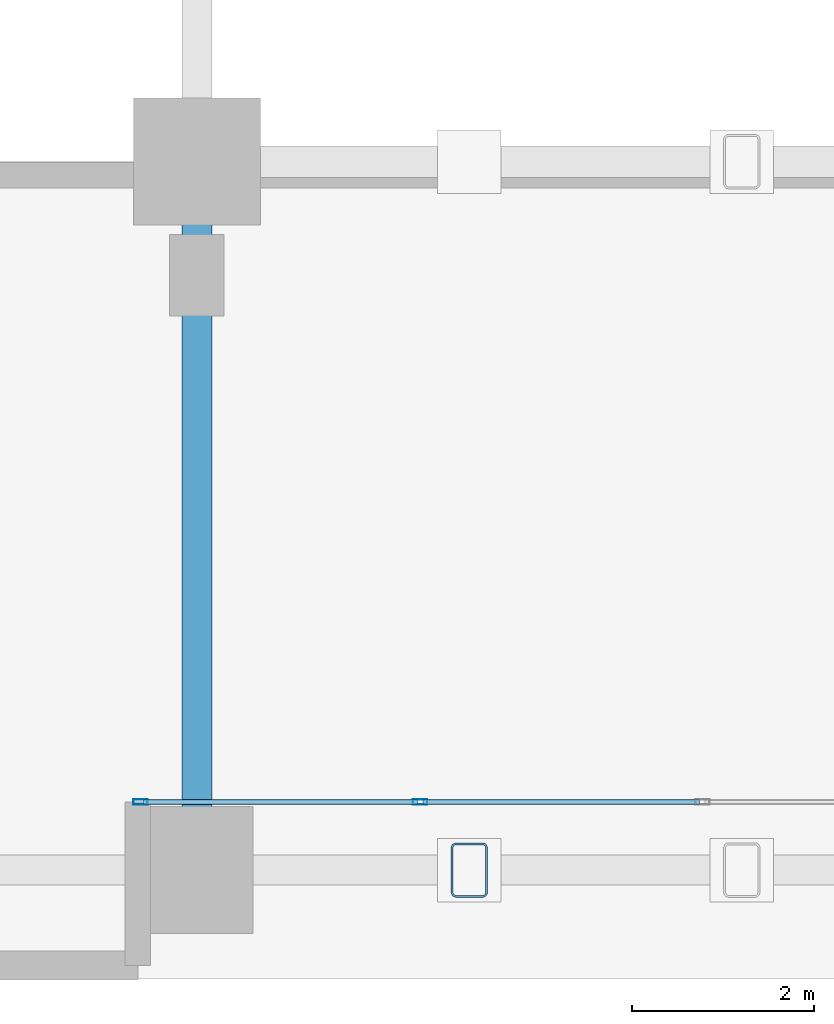
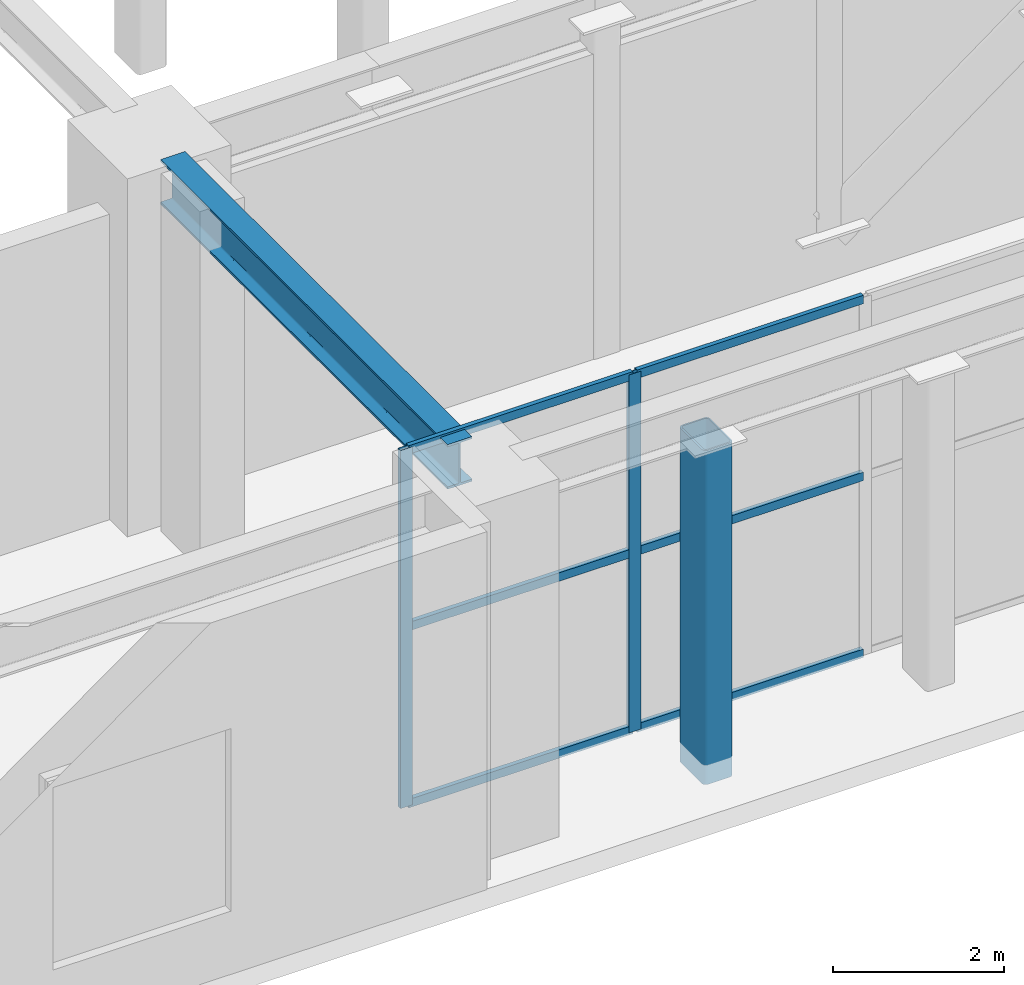
# One storey, part 4 of 32: 9 members, 1 beam, 1 element without a shape of its own.
"""IFC4 building model written with IfcOpenShell, lengths in metres."""

from ifc_helpers import new_model, si_unit, direction, frame, origin, origin_2d, place, context, subcontext, project, spatial, hollow_rectangle, i_section, extrude, material, layer, layer_set, material_profile, profile_set, type_object, element, aggregate, save


model = new_model("IFC4")

# Units and contexts
model_context = context("Model", 3, precision=1e-05, world=origin(), true_north=direction((0.0, 1.0)))
body_context = subcontext(model_context, "Body", "Model", "MODEL_VIEW")
ifc_project = project(units=[si_unit("LENGTHUNIT", "METRE"), si_unit("AREAUNIT", "SQUARE_METRE"), si_unit("VOLUMEUNIT", "CUBIC_METRE"), si_unit("PLANEANGLEUNIT", "RADIAN"), si_unit("MASSUNIT", "GRAM", prefix="KILO")], contexts=[model_context])

# Site, building, storey
site_placement = place(None, origin())
site = spatial("IfcSite", under=ifc_project, at=site_placement, CompositionType="ELEMENT")
building_placement = place(site_placement, origin())
building = spatial("IfcBuilding", under=site, at=building_placement, Name="Sarneth Arch Tower", CompositionType="ELEMENT")
storey_placement = place(building_placement, frame((0.0, 0.0, 11.39990234375)))
storey = spatial("IfcBuildingStorey", under=building, at=storey_placement, Name="L02", CompositionType="ELEMENT", Elevation=11.39990234375)

# Beam
ifc_material_1 = material(Name="Steel S355", Category="steel")
ifc_material_profile_1 = material_profile(ifc_material_1, i_section(OverallWidth=0.3291015625, OverallDepth=0.635009765625, WebThickness=0.017822265625, FlangeThickness=0.031005859375, FilletRadius=0.01904296875, at=origin_2d()), Name="W610x241")
ifc_profile_set_1 = profile_set([ifc_material_profile_1], Name="Steel S355")
beam_type = type_object("IfcBeamType", Name="BM-POD-610", PredefinedType="BEAM", material=ifc_profile_set_1)
beam_placement = place(storey_placement, frame((30.0, 9.75, 4.78271484375), z_axis=(0.0, 1.0, 0.0), x_axis=(-1.0, 0.0, 0.0)))
element("IfcBeam", 1, at=beam_placement, inside=storey, type_object=beam_type, Name="L02 Podium N-S girder W30.1", PredefinedType="BEAM", context=body_context, shape_type="SweptSolid", body=[
    extrude(i_section(OverallWidth=0.3291015625, OverallDepth=0.635009765625, WebThickness=0.017822265625, FlangeThickness=0.031005859375, FilletRadius=0.01904296875, at=origin_2d()), origin(), (0.0, 0.0, 1.0), 6.699951171875),
])

# Curtain wall, members
ifc_material_2 = material(Name="Anodised aluminium Type AA25 and solar-control low-e laminated IGU", Category="aluminium")
ifc_layer = layer(ifc_material_2, 0.199951171875)
ifc_layer_set = layer_set([ifc_layer], Name="Anodised aluminium Type AA25 and solar-control low-e laminated IGU")
curtain_wall_type = type_object("IfcCurtainWallType", Name="CW-ARCH-GLAZE", PredefinedType="NOTDEFINED", material=ifc_layer_set)
curtain_wall_placement = place(storey_placement, origin())
curtain_wall = element("IfcCurtainWall", 2, at=curtain_wall_placement, inside=storey, type_object=curtain_wall_type, Name="L02 South parabolic arch portal curtain wall", PredefinedType="NOTDEFINED")
ifc_material_3 = material(Name="Anodised Aluminium 6063-T6", Category="aluminium")
ifc_material_profile_2 = material_profile(ifc_material_3, hollow_rectangle(XDim=0.06005859375, YDim=0.159912109375, WallThickness=0.00390625, at=origin_2d()), Name="AL-MULL-160x60x4")
ifc_profile_set_2 = profile_set([ifc_material_profile_2], Name="Anodised Aluminium 6063-T6")
member_type_1 = type_object("IfcMemberType", Name="CW-MULLION", PredefinedType="MULLION", material=ifc_profile_set_2)
member_1_placement = place(storey_placement, frame((29.3798828125, 9.949951171875, 0.0), z_axis=(0.0, 0.0, 1.0), x_axis=(0.0, 1.0, 0.0)))
member_1 = element("IfcMember", 3, at=member_1_placement, type_object=member_type_1, Name="CW-SYS-2 mullion 1", PredefinedType="MULLION", context=body_context, shape_type="SweptSolid", body=[
    extrude(hollow_rectangle(XDim=0.06005859375, YDim=0.159912109375, WallThickness=0.00390625, at=origin_2d()), origin(), (0.0, 0.0, 1.0), 5.10009765625),
])
member_2_placement = place(storey_placement, frame((32.458251953125, 9.949951171875, 0.0), z_axis=(0.0, 0.0, 1.0), x_axis=(0.0, 1.0, 0.0)))
member_2 = element("IfcMember", 4, at=member_2_placement, type_object=member_type_1, Name="CW-SYS-2 mullion 2", PredefinedType="MULLION", context=body_context, shape_type="SweptSolid", body=[
    extrude(hollow_rectangle(XDim=0.06005859375, YDim=0.159912109375, WallThickness=0.00390625, at=origin_2d()), origin(), (0.0, 0.0, 1.0), 5.10009765625),
])
ifc_material_4 = material(Name="Anodised Aluminium 6063-T6", Category="aluminium")
ifc_material_profile_3 = material_profile(ifc_material_4, hollow_rectangle(XDim=0.06005859375, YDim=0.1201171875, WallThickness=0.00390625, at=origin_2d()), Name="AL-TRAN-120x60x4")
ifc_profile_set_3 = profile_set([ifc_material_profile_3], Name="Anodised Aluminium 6063-T6")
member_type_2 = type_object("IfcMemberType", Name="CW-TRANSOM", PredefinedType="USERDEFINED", material=ifc_profile_set_3)
member_3_placement = place(storey_placement, frame((29.409912109375, 9.949951171875, 0.030029296875), z_axis=(1.0, 0.0, 0.0), x_axis=(0.0, 1.0, 0.0)))
member_3 = element("IfcMember", 5, at=member_3_placement, type_object=member_type_2, Name="CW-SYS-2 transom 1.1", ObjectType="TRANSOM", PredefinedType="USERDEFINED", context=body_context, shape_type="SweptSolid", body=[
    extrude(hollow_rectangle(XDim=0.06005859375, YDim=0.1201171875, WallThickness=0.00390625, at=origin_2d()), origin(), (0.0, 0.0, 1.0), 3.018310546875),
])
member_4_placement = place(storey_placement, frame((29.409912109375, 9.949951171875, 2.550048828125), z_axis=(1.0, 0.0, 0.0), x_axis=(0.0, 1.0, 0.0)))
member_4 = element("IfcMember", 6, at=member_4_placement, type_object=member_type_2, Name="CW-SYS-2 transom 1.2", ObjectType="TRANSOM", PredefinedType="USERDEFINED", context=body_context, shape_type="SweptSolid", body=[
    extrude(hollow_rectangle(XDim=0.06005859375, YDim=0.1201171875, WallThickness=0.00390625, at=origin_2d()), origin(), (0.0, 0.0, 1.0), 3.018310546875),
])
member_5_placement = place(storey_placement, frame((29.409912109375, 9.949951171875, 5.070068359375), z_axis=(1.0, 0.0, 0.0), x_axis=(0.0, 1.0, 0.0)))
member_5 = element("IfcMember", 7, at=member_5_placement, type_object=member_type_2, Name="CW-SYS-2 transom 1.3", ObjectType="TRANSOM", PredefinedType="USERDEFINED", context=body_context, shape_type="SweptSolid", body=[
    extrude(hollow_rectangle(XDim=0.06005859375, YDim=0.1201171875, WallThickness=0.00390625, at=origin_2d()), origin(), (0.0, 0.0, 1.0), 3.018310546875),
])
member_6_placement = place(storey_placement, frame((32.48828125, 9.949951171875, 0.030029296875), z_axis=(1.0, 0.0, 0.0), x_axis=(0.0, 1.0, 0.0)))
member_6 = element("IfcMember", 8, at=member_6_placement, type_object=member_type_2, Name="CW-SYS-2 transom 2.1", ObjectType="TRANSOM", PredefinedType="USERDEFINED", context=body_context, shape_type="SweptSolid", body=[
    extrude(hollow_rectangle(XDim=0.06005859375, YDim=0.1201171875, WallThickness=0.00390625, at=origin_2d()), origin(), (0.0, 0.0, 1.0), 3.04833984375),
])
member_7_placement = place(storey_placement, frame((32.48828125, 9.949951171875, 2.550048828125), z_axis=(1.0, 0.0, 0.0), x_axis=(0.0, 1.0, 0.0)))
member_7 = element("IfcMember", 9, at=member_7_placement, type_object=member_type_2, Name="CW-SYS-2 transom 2.2", ObjectType="TRANSOM", PredefinedType="USERDEFINED", context=body_context, shape_type="SweptSolid", body=[
    extrude(hollow_rectangle(XDim=0.06005859375, YDim=0.1201171875, WallThickness=0.00390625, at=origin_2d()), origin(), (0.0, 0.0, 1.0), 3.04833984375),
])
member_8_placement = place(storey_placement, frame((32.48828125, 9.949951171875, 5.070068359375), z_axis=(1.0, 0.0, 0.0), x_axis=(0.0, 1.0, 0.0)))
member_8 = element("IfcMember", 10, at=member_8_placement, type_object=member_type_2, Name="CW-SYS-2 transom 2.3", ObjectType="TRANSOM", PredefinedType="USERDEFINED", context=body_context, shape_type="SweptSolid", body=[
    extrude(hollow_rectangle(XDim=0.06005859375, YDim=0.1201171875, WallThickness=0.00390625, at=origin_2d()), origin(), (0.0, 0.0, 1.0), 3.04833984375),
])
aggregate(curtain_wall, [member_1, member_2, member_3, member_4, member_5, member_6, member_7, member_8])

# Member
ifc_material_5 = material(Name="Steel S355", Category="steel")
ifc_material_profile_4 = material_profile(ifc_material_5, hollow_rectangle(XDim=0.39990234375, YDim=0.60009765625, WallThickness=0.02197265625, InnerFilletRadius=0.032958984375, OuterFilletRadius=0.054931640625, at=origin_2d()), Name="RHS600x400x22")
ifc_profile_set_4 = profile_set([ifc_material_profile_4], Name="Steel S355")
member_type_3 = type_object("IfcMemberType", Name="MEM-ARCH-WEB", PredefinedType="BRACE", material=ifc_profile_set_4)
member_9_placement = place(storey_placement, frame((33.0, 9.199951171875, -0.27978515625), z_axis=(0.0, 0.0, 1.0), x_axis=(1.0, 0.0, 0.0)))
element("IfcMember", 11, at=member_9_placement, inside=storey, type_object=member_type_3, Name="Podium arch spandrel post 1.1B", PredefinedType="BRACE", context=body_context, shape_type="SweptSolid", body=[
    extrude(hollow_rectangle(XDim=0.39990234375, YDim=0.60009765625, WallThickness=0.02197265625, InnerFilletRadius=0.032958984375, OuterFilletRadius=0.054931640625, at=origin_2d()), origin(), (0.0, 0.0, 1.0), 4.759765625),
])

save(model, "model.ifc")
